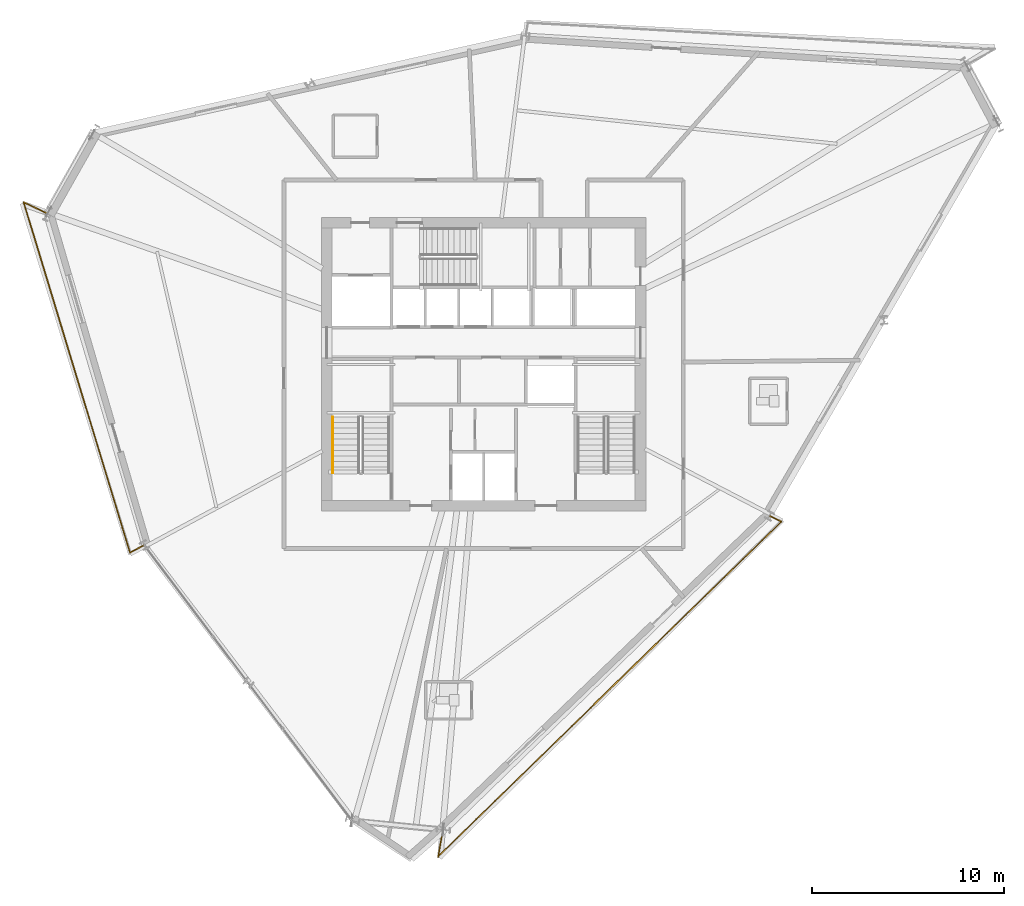
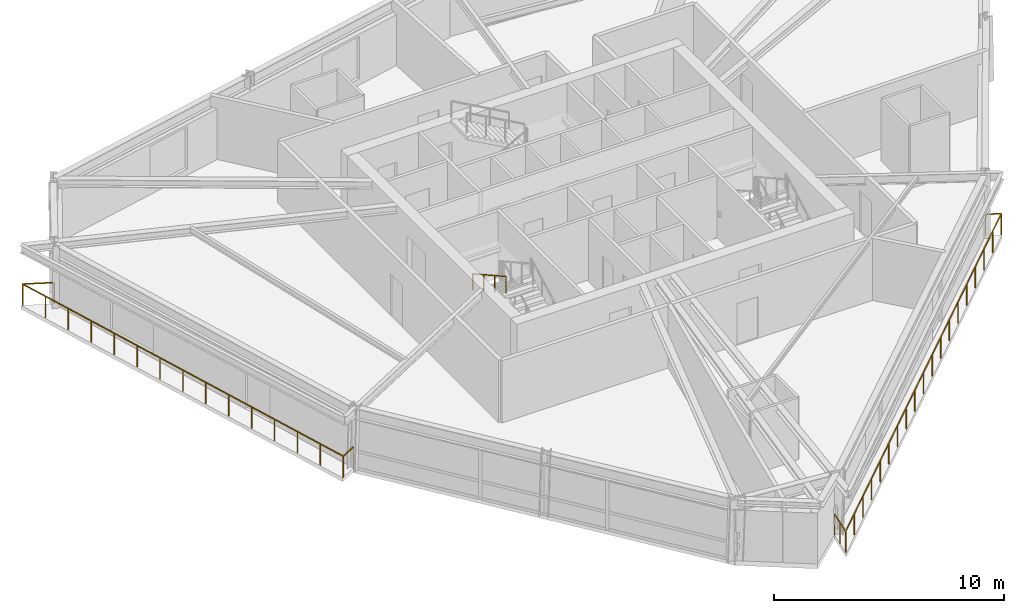
# One storey, part 12 of 15: 3 railings.
"""IFC4 building model written with IfcOpenShell, lengths in metres."""

from ifc_helpers import new_model, si_unit, direction, frame, origin, origin_2d, place, context, subcontext, project, spatial, rectangle, extrude, material, type_object, element, save


model = new_model("IFC4")

# Units and contexts
model_context = context("Model", 3, precision=1e-05, world=origin(), true_north=direction((0.0, 1.0)))
body_context = subcontext(model_context, "Body", "Model", "MODEL_VIEW")
ifc_project = project(units=[si_unit("LENGTHUNIT", "METRE"), si_unit("AREAUNIT", "SQUARE_METRE"), si_unit("VOLUMEUNIT", "CUBIC_METRE"), si_unit("PLANEANGLEUNIT", "RADIAN"), si_unit("MASSUNIT", "GRAM", prefix="KILO")], contexts=[model_context])

# Site, building, storey
site_placement = place(None, origin())
site = spatial("IfcSite", under=ifc_project, at=site_placement, CompositionType="ELEMENT")
building_placement = place(site_placement, origin())
building = spatial("IfcBuilding", under=site, at=building_placement, Name="Olszyna Solenne Hotel", CompositionType="ELEMENT")
storey_placement = place(building_placement, frame((0.0, 0.0, 150.14990234375)))
storey = spatial("IfcBuildingStorey", under=building, at=storey_placement, Name="L39", CompositionType="ELEMENT", Elevation=150.14990234375)

# Railings
ifc_material_1 = material(Name="Anodised bronze aluminium", Category="aluminium")
railing_type_1 = type_object("IfcRailingType", Name="GR-110", PredefinedType="BALUSTRADE", material=ifc_material_1)
railing_1_placement = place(storey_placement, frame((15.28271484375, 34.4443359375, 0.0)))
element("IfcRailing", 1, at=railing_1_placement, inside=storey, type_object=railing_type_1, Name="Loggia balcony balustrade guard GR-L39-LG2", PredefinedType="BALUSTRADE", context=body_context, shape_type="SweptSolid", body=[
    extrude(rectangle(XDim=0.048095703125, YDim=0.048095703125, at=origin_2d()), frame((0.0, 0.0, 1.1259765625), z_axis=(-0.902283926219, 0.431142339009, 0.0), x_axis=(-0.431142339009, -0.902283926219, 0.0)), (0.0, 0.0, 1.0), 1.37939453125),
    extrude(rectangle(XDim=0.048095703125, YDim=0.048095703125, at=origin_2d()), frame((-1.24462890625, 0.5947265625, 1.1259765625), z_axis=(0.290467587214, -0.956884831512, 0.0), x_axis=(0.956884831512, 0.290467587214, 0.0)), (0.0, 0.0, 1.0), 19.081298828125),
    extrude(rectangle(XDim=0.048095703125, YDim=0.048095703125, at=origin_2d()), frame((4.2978515625, -17.663818359375, 1.1259765625), z_axis=(0.880267136512, 0.474478417189, 0.0), x_axis=(-0.474478417189, 0.880267136512, 0.0)), (0.0, 0.0, 1.0), 0.845947265625),
    extrude(rectangle(XDim=0.0419921875, YDim=0.0419921875, at=origin_2d()), origin(), (0.0, 0.0, 1.0), 1.101806640625),
    extrude(rectangle(XDim=0.0419921875, YDim=0.0419921875, at=origin_2d()), frame((-1.24462890625, 0.5947265625, 0.0)), (0.0, 0.0, 1.0), 1.101806640625),
    extrude(rectangle(XDim=0.0419921875, YDim=0.0419921875, at=origin_2d()), frame((-0.8486328125, -0.70947265625, 0.0)), (0.0, 0.0, 1.0), 1.101806640625),
    extrude(rectangle(XDim=0.0419921875, YDim=0.0419921875, at=origin_2d()), frame((-0.452880859375, -2.013671875, 0.0)), (0.0, 0.0, 1.0), 1.101806640625),
    extrude(rectangle(XDim=0.0419921875, YDim=0.0419921875, at=origin_2d()), frame((-0.056884765625, -3.31787109375, 0.0)), (0.0, 0.0, 1.0), 1.101806640625),
    extrude(rectangle(XDim=0.0419921875, YDim=0.0419921875, at=origin_2d()), frame((0.3388671875, -4.6220703125, 0.0)), (0.0, 0.0, 1.0), 1.101806640625),
    extrude(rectangle(XDim=0.0419921875, YDim=0.0419921875, at=origin_2d()), frame((0.73486328125, -5.92626953125, 0.0)), (0.0, 0.0, 1.0), 1.101806640625),
    extrude(rectangle(XDim=0.0419921875, YDim=0.0419921875, at=origin_2d()), frame((1.130615234375, -7.23046875, 0.0)), (0.0, 0.0, 1.0), 1.101806640625),
    extrude(rectangle(XDim=0.0419921875, YDim=0.0419921875, at=origin_2d()), frame((1.526611328125, -8.53466796875, 0.0)), (0.0, 0.0, 1.0), 1.101806640625),
    extrude(rectangle(XDim=0.0419921875, YDim=0.0419921875, at=origin_2d()), frame((1.922607421875, -9.838623046875, 0.0)), (0.0, 0.0, 1.0), 1.101806640625),
    extrude(rectangle(XDim=0.0419921875, YDim=0.0419921875, at=origin_2d()), frame((2.318359375, -11.142822265625, 0.0)), (0.0, 0.0, 1.0), 1.101806640625),
    extrude(rectangle(XDim=0.0419921875, YDim=0.0419921875, at=origin_2d()), frame((2.71435546875, -12.447021484375, 0.0)), (0.0, 0.0, 1.0), 1.101806640625),
    extrude(rectangle(XDim=0.0419921875, YDim=0.0419921875, at=origin_2d()), frame((3.110107421875, -13.751220703125, 0.0)), (0.0, 0.0, 1.0), 1.101806640625),
    extrude(rectangle(XDim=0.0419921875, YDim=0.0419921875, at=origin_2d()), frame((3.506103515625, -15.055419921875, 0.0)), (0.0, 0.0, 1.0), 1.101806640625),
    extrude(rectangle(XDim=0.0419921875, YDim=0.0419921875, at=origin_2d()), frame((3.90185546875, -16.359619140625, 0.0)), (0.0, 0.0, 1.0), 1.101806640625),
    extrude(rectangle(XDim=0.0419921875, YDim=0.0419921875, at=origin_2d()), frame((4.2978515625, -17.663818359375, 0.0)), (0.0, 0.0, 1.0), 1.101806640625),
    extrude(rectangle(XDim=0.0419921875, YDim=0.0419921875, at=origin_2d()), frame((5.04248046875, -17.262451171875, 0.0)), (0.0, 0.0, 1.0), 1.101806640625),
])
railing_2_placement = place(storey_placement, frame((35.880126953125, 2.342529296875, 0.0)))
element("IfcRailing", 2, at=railing_2_placement, inside=storey, type_object=railing_type_1, Name="Loggia balcony balustrade guard GR-L39-LG3", PredefinedType="BALUSTRADE", context=body_context, shape_type="SweptSolid", body=[
    extrude(rectangle(XDim=0.048095703125, YDim=0.048095703125, at=origin_2d()), frame((0.0, 0.0, 1.1259765625), z_axis=(-0.172626645552, -0.9849873305, 0.0), x_axis=(0.9849873305, -0.172626645552, 0.0)), (0.0, 0.0, 1.0), 1.41845703125),
    extrude(rectangle(XDim=0.048095703125, YDim=0.048095703125, at=origin_2d()), frame((-0.244873046875, -1.397216796875, 1.1259765625), z_axis=(0.715609556466, 0.69850051016, 0.0), x_axis=(-0.69850051016, 0.715609556466, 0.0)), (0.0, 0.0, 1.0), 24.986328125),
    extrude(rectangle(XDim=0.048095703125, YDim=0.048095703125, at=origin_2d()), frame((17.635498046875, 16.0556640625, 1.1259765625), z_axis=(-0.902283926219, 0.431142339009, 0.0), x_axis=(-0.431142339009, -0.902283926219, 0.0)), (0.0, 0.0, 1.0), 0.689697265625),
    extrude(rectangle(XDim=0.0419921875, YDim=0.0419921875, at=origin_2d()), origin(), (0.0, 0.0, 1.0), 1.101806640625),
    extrude(rectangle(XDim=0.0419921875, YDim=0.0419921875, at=origin_2d()), frame((-0.12255859375, -0.69873046875, 0.0)), (0.0, 0.0, 1.0), 1.101806640625),
    extrude(rectangle(XDim=0.0419921875, YDim=0.0419921875, at=origin_2d()), frame((-0.244873046875, -1.397216796875, 0.0)), (0.0, 0.0, 1.0), 1.101806640625),
    extrude(rectangle(XDim=0.0419921875, YDim=0.0419921875, at=origin_2d()), frame((0.74853515625, -0.427734375, 0.0)), (0.0, 0.0, 1.0), 1.101806640625),
    extrude(rectangle(XDim=0.0419921875, YDim=0.0419921875, at=origin_2d()), frame((1.741943359375, 0.5419921875, 0.0)), (0.0, 0.0, 1.0), 1.101806640625),
    extrude(rectangle(XDim=0.0419921875, YDim=0.0419921875, at=origin_2d()), frame((2.735107421875, 1.51171875, 0.0)), (0.0, 0.0, 1.0), 1.101806640625),
    extrude(rectangle(XDim=0.0419921875, YDim=0.0419921875, at=origin_2d()), frame((3.728515625, 2.481201171875, 0.0)), (0.0, 0.0, 1.0), 1.101806640625),
    extrude(rectangle(XDim=0.0419921875, YDim=0.0419921875, at=origin_2d()), frame((4.721923828125, 3.45068359375, 0.0)), (0.0, 0.0, 1.0), 1.101806640625),
    extrude(rectangle(XDim=0.0419921875, YDim=0.0419921875, at=origin_2d()), frame((5.71533203125, 4.42041015625, 0.0)), (0.0, 0.0, 1.0), 1.101806640625),
    extrude(rectangle(XDim=0.0419921875, YDim=0.0419921875, at=origin_2d()), frame((6.70849609375, 5.39013671875, 0.0)), (0.0, 0.0, 1.0), 1.101806640625),
    extrude(rectangle(XDim=0.0419921875, YDim=0.0419921875, at=origin_2d()), frame((7.701904296875, 6.359619140625, 0.0)), (0.0, 0.0, 1.0), 1.101806640625),
    extrude(rectangle(XDim=0.0419921875, YDim=0.0419921875, at=origin_2d()), frame((8.6953125, 7.3291015625, 0.0)), (0.0, 0.0, 1.0), 1.101806640625),
    extrude(rectangle(XDim=0.0419921875, YDim=0.0419921875, at=origin_2d()), frame((9.688720703125, 8.298828125, 0.0)), (0.0, 0.0, 1.0), 1.101806640625),
    extrude(rectangle(XDim=0.0419921875, YDim=0.0419921875, at=origin_2d()), frame((10.68212890625, 9.2685546875, 0.0)), (0.0, 0.0, 1.0), 1.101806640625),
    extrude(rectangle(XDim=0.0419921875, YDim=0.0419921875, at=origin_2d()), frame((11.67529296875, 10.238037109375, 0.0)), (0.0, 0.0, 1.0), 1.101806640625),
    extrude(rectangle(XDim=0.0419921875, YDim=0.0419921875, at=origin_2d()), frame((12.668701171875, 11.20751953125, 0.0)), (0.0, 0.0, 1.0), 1.101806640625),
    extrude(rectangle(XDim=0.0419921875, YDim=0.0419921875, at=origin_2d()), frame((13.662109375, 12.17724609375, 0.0)), (0.0, 0.0, 1.0), 1.101806640625),
    extrude(rectangle(XDim=0.0419921875, YDim=0.0419921875, at=origin_2d()), frame((14.655517578125, 13.14697265625, 0.0)), (0.0, 0.0, 1.0), 1.101806640625),
    extrude(rectangle(XDim=0.0419921875, YDim=0.0419921875, at=origin_2d()), frame((15.648681640625, 14.116455078125, 0.0)), (0.0, 0.0, 1.0), 1.101806640625),
    extrude(rectangle(XDim=0.0419921875, YDim=0.0419921875, at=origin_2d()), frame((16.64208984375, 15.0859375, 0.0)), (0.0, 0.0, 1.0), 1.101806640625),
    extrude(rectangle(XDim=0.0419921875, YDim=0.0419921875, at=origin_2d()), frame((17.635498046875, 16.0556640625, 0.0)), (0.0, 0.0, 1.0), 1.101806640625),
    extrude(rectangle(XDim=0.0419921875, YDim=0.0419921875, at=origin_2d()), frame((17.01318359375, 16.35302734375, 0.0)), (0.0, 0.0, 1.0), 1.101806640625),
])
ifc_material_2 = material(Name="Steel S355J2", Category="steel")
railing_type_2 = type_object("IfcRailingType", Name="HR-090", PredefinedType="HANDRAIL", material=ifc_material_2)
railing_3_placement = place(storey_placement, frame((30.14990234375, 23.85009765625, 1.9365234375)))
element("IfcRailing", 3, at=railing_3_placement, inside=storey, type_object=railing_type_2, Name="L39 ST1 stair handrail 2", PredefinedType="HANDRAIL", context=body_context, shape_type="SweptSolid", body=[
    extrude(rectangle(XDim=0.048095703125, YDim=0.048095703125, at=origin_2d()), frame((0.0, 0.0, 0.8759765625), z_axis=(0.0, -0.873858693841, 0.486179990537), x_axis=(1.0, 0.0, 0.0)), (0.0, 0.0, 1.0), 3.31884765625),
    extrude(rectangle(XDim=0.0419921875, YDim=0.0419921875, at=origin_2d()), origin(), (0.0, 0.0, 1.0), 0.851806640625),
    extrude(rectangle(XDim=0.0419921875, YDim=0.0419921875, at=origin_2d()), frame((0.0, -0.966796875, 0.537841796875)), (0.0, 0.0, 1.0), 0.851806640625),
    extrude(rectangle(XDim=0.0419921875, YDim=0.0419921875, at=origin_2d()), frame((0.0, -1.933349609375, 1.07568359375)), (0.0, 0.0, 1.0), 0.851806640625),
    extrude(rectangle(XDim=0.0419921875, YDim=0.0419921875, at=origin_2d()), frame((0.0, -2.900146484375, 1.613525390625)), (0.0, 0.0, 1.0), 0.851806640625),
])

save(model, "model.ifc")
